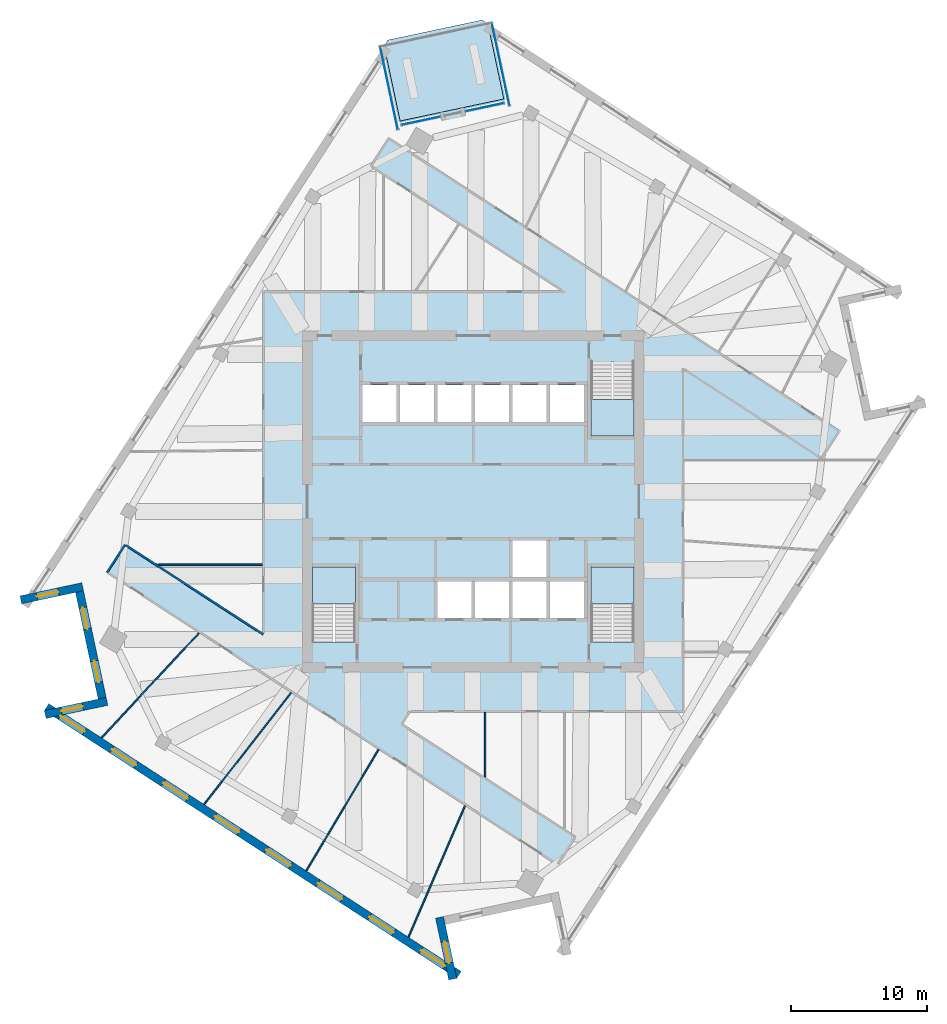
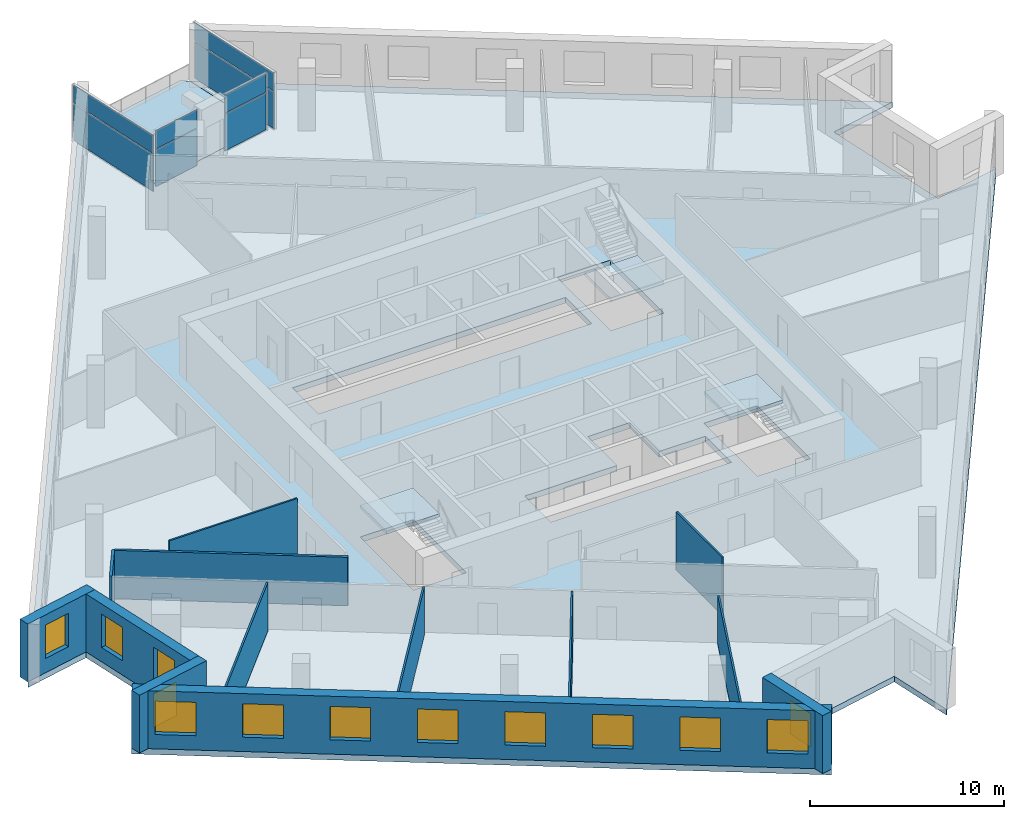
# One storey, part 5 of 12: 13 walls, 13 windows, 8 plates, 5 slabs, 13 openings, 7 elements without a shape of their own.
"""IFC4 building model written with IfcOpenShell, lengths in metres."""

from ifc_helpers import new_model, si_unit, direction, frame, frame_2d, origin, origin_2d, place, context, subcontext, project, spatial, polyline, rectangle, outline, extrude, material, layer, layer_set, type_object, element, fill, aggregate, save


model = new_model("IFC4")

# Units and contexts
model_context = context("Model", 3, precision=1e-05, world=origin(), true_north=direction((0.0, 1.0)))
body_context = subcontext(model_context, "Body", "Model", "MODEL_VIEW")
ifc_project = project(units=[si_unit("LENGTHUNIT", "METRE"), si_unit("AREAUNIT", "SQUARE_METRE"), si_unit("VOLUMEUNIT", "CUBIC_METRE"), si_unit("PLANEANGLEUNIT", "RADIAN"), si_unit("MASSUNIT", "GRAM", prefix="KILO")], contexts=[model_context])

# Site, building, storey
site_placement = place(None, origin())
site = spatial("IfcSite", under=ifc_project, at=site_placement, CompositionType="ELEMENT")
building_placement = place(site_placement, origin())
building = spatial("IfcBuilding", under=site, at=building_placement, Name="Dilmun Exchange Tower", CompositionType="ELEMENT")
storey_placement = place(building_placement, frame((0.0, 0.0, 254.89990234375)))
storey = spatial("IfcBuildingStorey", under=building, at=storey_placement, Name="L60", CompositionType="ELEMENT", Elevation=254.89990234375)

# Stair, slab
ifc_material_1 = material(Name="Concrete C40/50", Category="concrete")
stair_type = type_object("IfcStairType", Name="Exit stair 1500 half-turn", PredefinedType="HALF_TURN_STAIR", material=ifc_material_1)
stair_1_placement = place(storey_placement, origin())
stair_1 = element("IfcStair", 1, at=stair_1_placement, inside=storey, type_object=stair_type, Name="L60 Protected exit stair ST1", PredefinedType="HALF_TURN_STAIR")
ifc_layer_1 = layer(ifc_material_1, 0.199951171875)
ifc_layer_set_1 = layer_set([ifc_layer_1], Name="Concrete C40/50")
slab_type_1 = type_object("IfcSlabType", Name="Exit stair landing 200", PredefinedType="LANDING", material=ifc_layer_set_1)
slab_1_placement = place(storey_placement, frame((0.0, 0.0, 1.800048828125)))
slab_1 = element("IfcSlab", 2, at=slab_1_placement, type_object=slab_type_1, Name="ST1 landing 1", PredefinedType="LANDING", context=body_context, shape_type="SweptSolid", body=[
    extrude(outline(polyline([(8.64990234375, 7.5), (8.64990234375, 4.800048828125), (11.800048828125, 4.800048828125), (11.800048828125, 7.5), (8.64990234375, 7.5)])), origin(), (0.0, 0.0, 1.0), 0.199951171875),
])
aggregate(stair_1, [slab_1])

stair_2_placement = place(storey_placement, origin())
stair_2 = element("IfcStair", 3, at=stair_2_placement, inside=storey, type_object=stair_type, Name="L60 Protected exit stair ST2", PredefinedType="HALF_TURN_STAIR")
slab_2_placement = place(storey_placement, frame((0.0, 0.0, 1.800048828125)))
slab_2 = element("IfcSlab", 4, at=slab_2_placement, type_object=slab_type_1, Name="ST2 landing 1", PredefinedType="LANDING", context=body_context, shape_type="SweptSolid", body=[
    extrude(outline(polyline([(-8.64990234375, -7.5), (-8.64990234375, -4.800048828125), (-11.800048828125, -4.800048828125), (-11.800048828125, -7.5), (-8.64990234375, -7.5)])), origin(), (0.0, 0.0, 1.0), 0.199951171875),
])
aggregate(stair_2, [slab_2])

stair_3_placement = place(storey_placement, origin())
stair_3 = element("IfcStair", 5, at=stair_3_placement, inside=storey, type_object=stair_type, Name="L60 Protected exit stair ST3", PredefinedType="HALF_TURN_STAIR")
slab_3_placement = place(storey_placement, frame((0.0, 0.0, 1.800048828125)))
slab_3 = element("IfcSlab", 6, at=slab_3_placement, type_object=slab_type_1, Name="ST3 landing 1", PredefinedType="LANDING", context=body_context, shape_type="SweptSolid", body=[
    extrude(outline(polyline([(11.800048828125, -7.5), (11.800048828125, -4.800048828125), (8.64990234375, -4.800048828125), (8.64990234375, -7.5), (11.800048828125, -7.5)])), origin(), (0.0, 0.0, 1.0), 0.199951171875),
])
aggregate(stair_3, [slab_3])

# Curtain wall, plates
ifc_material_2 = material(Name="Anodised aluminium and clear glass", Category="aluminium")
curtain_wall_type = type_object("IfcCurtainWallType", Name="Garden corner glazing", PredefinedType="NOTDEFINED", material=ifc_material_2)
curtain_wall_1_placement = place(storey_placement, origin())
curtain_wall_1 = element("IfcCurtainWall", 7, at=curtain_wall_1_placement, inside=storey, type_object=curtain_wall_type, Name="Garden corner glazing run GC1.1", PredefinedType="NOTDEFINED")
ifc_material_3 = material(Name="Clear glass", Category="glass")
ifc_layer_2 = layer(ifc_material_3, 0.028076171875)
ifc_layer_set_2 = layer_set([ifc_layer_2], Name="Clear glass")
plate_type = type_object("IfcPlateType", Name="Garden corner glazing glass panel 28", PredefinedType="CURTAIN_PANEL", material=ifc_layer_set_2)
plate_1_placement = place(storey_placement, frame((2.01806640625, 32.079833984375, 0.06005859375), z_axis=(0.0, 0.0, 1.0), x_axis=(0.207911792498, -0.978147579121, 0.0)))
plate_1 = element("IfcPlate", 8, at=plate_1_placement, type_object=plate_type, Name="GC1.1 panel 1.1", PredefinedType="CURTAIN_PANEL", context=body_context, shape_type="SweptSolid", body=[
    extrude(rectangle(XDim=6.12646484375, YDim=0.028076171875, at=origin_2d()), origin(), (0.0, 0.0, 1.0), 2.31005859375),
])
plate_2_placement = place(storey_placement, frame((2.01806640625, 32.079833984375, 2.43017578125), z_axis=(0.0, 0.0, 1.0), x_axis=(0.207911792498, -0.978147579121, 0.0)))
plate_2 = element("IfcPlate", 9, at=plate_2_placement, type_object=plate_type, Name="GC1.1 panel 1.2", PredefinedType="CURTAIN_PANEL", context=body_context, shape_type="SweptSolid", body=[
    extrude(rectangle(XDim=6.12646484375, YDim=0.028076171875, at=origin_2d()), origin(), (0.0, 0.0, 1.0), 1.14990234375),
])
aggregate(curtain_wall_1, [plate_1, plate_2])

curtain_wall_2_placement = place(storey_placement, origin())
curtain_wall_2 = element("IfcCurtainWall", 10, at=curtain_wall_2_placement, inside=storey, type_object=curtain_wall_type, Name="Garden corner glazing run GC2.1", PredefinedType="NOTDEFINED")
plate_3_placement = place(storey_placement, frame((0.849853515625, 28.9453125, 0.06005859375), z_axis=(0.0, 0.0, 1.0), x_axis=(-0.978152558618, -0.207888364437, 0.0)))
plate_3 = element("IfcPlate", 11, at=plate_3_placement, type_object=plate_type, Name="GC2.1 panel 1.1", PredefinedType="CURTAIN_PANEL", context=body_context, shape_type="SweptSolid", body=[
    extrude(rectangle(XDim=2.869140625, YDim=0.028076171875, at=origin_2d()), origin(), (0.0, 0.0, 1.0), 2.31005859375),
])
plate_4_placement = place(storey_placement, frame((0.849853515625, 28.9453125, 2.43017578125), z_axis=(0.0, 0.0, 1.0), x_axis=(-0.978152558618, -0.207888364437, 0.0)))
plate_4 = element("IfcPlate", 12, at=plate_4_placement, type_object=plate_type, Name="GC2.1 panel 1.2", PredefinedType="CURTAIN_PANEL", context=body_context, shape_type="SweptSolid", body=[
    extrude(rectangle(XDim=2.869140625, YDim=0.028076171875, at=origin_2d()), origin(), (0.0, 0.0, 1.0), 1.14990234375),
])
aggregate(curtain_wall_2, [plate_3, plate_4])

curtain_wall_3_placement = place(storey_placement, origin())
curtain_wall_3 = element("IfcCurtainWall", 13, at=curtain_wall_3_placement, inside=storey, type_object=curtain_wall_type, Name="Garden corner glazing run GC2.3", PredefinedType="NOTDEFINED")
plate_5_placement = place(storey_placement, frame((-3.834716796875, 27.94970703125, 0.06005859375), z_axis=(0.0, 0.0, 1.0), x_axis=(-0.978152558618, -0.207888364437, 0.0)))
plate_5 = element("IfcPlate", 14, at=plate_5_placement, type_object=plate_type, Name="GC2.3 panel 1.1", PredefinedType="CURTAIN_PANEL", context=body_context, shape_type="SweptSolid", body=[
    extrude(rectangle(XDim=2.869140625, YDim=0.028076171875, at=origin_2d()), origin(), (0.0, 0.0, 1.0), 2.31005859375),
])
plate_6_placement = place(storey_placement, frame((-3.834716796875, 27.94970703125, 2.43017578125), z_axis=(0.0, 0.0, 1.0), x_axis=(-0.978152558618, -0.207888364437, 0.0)))
plate_6 = element("IfcPlate", 15, at=plate_6_placement, type_object=plate_type, Name="GC2.3 panel 1.2", PredefinedType="CURTAIN_PANEL", context=body_context, shape_type="SweptSolid", body=[
    extrude(rectangle(XDim=2.869140625, YDim=0.028076171875, at=origin_2d()), origin(), (0.0, 0.0, 1.0), 1.14990234375),
])
aggregate(curtain_wall_3, [plate_5, plate_6])

curtain_wall_4_placement = place(storey_placement, origin())
curtain_wall_4 = element("IfcCurtainWall", 16, at=curtain_wall_4_placement, inside=storey, type_object=curtain_wall_type, Name="Garden corner glazing run GC3.1", PredefinedType="NOTDEFINED")
plate_7_placement = place(storey_placement, frame((-6.177001953125, 30.338134765625, 0.06005859375), z_axis=(0.0, 0.0, 1.0), x_axis=(-0.207911792498, 0.978147579121, 0.0)))
plate_7 = element("IfcPlate", 17, at=plate_7_placement, type_object=plate_type, Name="GC3.1 panel 1.1", PredefinedType="CURTAIN_PANEL", context=body_context, shape_type="SweptSolid", body=[
    extrude(rectangle(XDim=6.12646484375, YDim=0.028076171875, at=origin_2d()), origin(), (0.0, 0.0, 1.0), 2.31005859375),
])
plate_8_placement = place(storey_placement, frame((-6.177001953125, 30.338134765625, 2.43017578125), z_axis=(0.0, 0.0, 1.0), x_axis=(-0.207911792498, 0.978147579121, 0.0)))
plate_8 = element("IfcPlate", 18, at=plate_8_placement, type_object=plate_type, Name="GC3.1 panel 1.2", PredefinedType="CURTAIN_PANEL", context=body_context, shape_type="SweptSolid", body=[
    extrude(rectangle(XDim=6.12646484375, YDim=0.028076171875, at=origin_2d()), origin(), (0.0, 0.0, 1.0), 1.14990234375),
])
aggregate(curtain_wall_4, [plate_7, plate_8])

# Slabs
ifc_layer_3 = layer(ifc_material_1, 0.360107421875)
ifc_layer_set_3 = layer_set([ifc_layer_3], Name="Concrete C40/50")
slab_type_2 = type_object("IfcSlabType", Name="RC floor slab 360", PredefinedType="FLOOR", material=ifc_layer_set_3)
slab_4_placement = place(storey_placement, frame((0.0, 0.0, -0.35986328125)))
element("IfcSlab", 19, at=slab_4_placement, inside=storey, type_object=slab_type_2, Name="Floor slab", PredefinedType="FLOOR", context=body_context, shape_type="SweptSolid", body=[
    extrude(outline(polyline([(27.524169921875, 14.494140625), (29.1875, 6.6689453125), (33.134765625, 7.5078125), (6.618408203125, -33.32373046875), (5.779296875, -29.37646484375), (-2.0458984375, -31.039794921875), (-1.206787109375, -34.987060546875), (-31.471435546875, -15.3330078125), (-27.524169921875, -14.494140625), (-29.1875, -6.6689453125), (-33.134765625, -7.5078125), (-6.53271484375, 33.455322265625), (-5.35888671875, 27.932373046875), (2.249267578125, 29.549560546875), (1.075439453125, 35.072509765625), (31.471435546875, 15.3330078125), (27.524169921875, 14.494140625)]), holes=[polyline([(-8.64990234375, -4.800048828125), (-11.800048828125, -4.800048828125), (-11.800048828125, -10.294921875), (-8.64990234375, -10.294921875), (-8.64990234375, -4.800048828125)]), polyline([(11.800048828125, -4.800048828125), (8.64990234375, -4.800048828125), (8.64990234375, -10.294921875), (11.800048828125, -10.294921875), (11.800048828125, -4.800048828125)]), polyline([(2.875, -5.85009765625), (-2.625, -5.85009765625), (-2.625, -8.550048828125), (8.125, -8.550048828125), (8.125, -5.85009765625), (5.375, -5.85009765625), (5.375, -2.85009765625), (2.875, -2.85009765625), (2.875, -5.85009765625)]), polyline([(8.125, 5.85009765625), (8.125, 8.550048828125), (-8.125, 8.550048828125), (-8.125, 5.85009765625), (8.125, 5.85009765625)]), polyline([(8.64990234375, 10.294921875), (8.64990234375, 4.800048828125), (11.800048828125, 4.800048828125), (11.800048828125, 10.294921875), (8.64990234375, 10.294921875)])]), origin(), (0.0, 0.0, 1.0), 0.35986328125),
])
ifc_layer_4 = layer(ifc_material_1, 0.300048828125)
ifc_layer_set_4 = layer_set([ifc_layer_4], Name="Concrete C40/50")
slab_type_3 = type_object("IfcSlabType", Name="RC garden terrace slab 300", PredefinedType="FLOOR", material=ifc_layer_set_4)
slab_5_placement = place(storey_placement, frame((0.0, 0.0, -0.2998046875)))
element("IfcSlab", 20, at=slab_5_placement, inside=storey, type_object=slab_type_3, Name="Garden terrace slab", PredefinedType="FLOOR", context=body_context, shape_type="SweptSolid", body=[
    extrude(outline(polyline([(-5.35888671875, 27.932373046875), (-6.53271484375, 33.455322265625), (-6.260498046875, 33.874755859375), (0.656005859375, 35.344970703125), (1.075439453125, 35.072509765625), (2.249267578125, 29.549560546875), (-5.35888671875, 27.932373046875)])), origin(), (0.0, 0.0, 1.0), 0.2998046875),
])

# Walls
ifc_material_4 = material(Name="Corridor wall 150")
ifc_layer_5 = layer(ifc_material_4, 0.14990234375)
ifc_layer_set_5 = layer_set([ifc_layer_5], Name="Corridor wall 150")
wall_type_1 = type_object("IfcWallType", Name="Corridor wall 150", PredefinedType="PARTITIONING", material=ifc_layer_set_5)
wall_1_placement = place(storey_placement, frame((-26.85400390625, -5.179931640625, 0.0), z_axis=(0.0, 0.0, 1.0), x_axis=(0.544727214821, 0.838613296719, 0.0)))
element("IfcWall", 21, at=wall_1_placement, inside=storey, type_object=wall_type_1, Name="Corridor wall", PredefinedType="PARTITIONING", context=body_context, shape_type="SweptSolid", body=[
    extrude(rectangle(XDim=2.399169921875, YDim=0.14990234375, at=frame_2d((1.19970703125, 0.0))), origin(), (0.0, 0.0, 1.0), 3.0400390625),
])
wall_2_placement = place(storey_placement, frame((-25.484130859375, -3.208984375, 0.0), z_axis=(0.0, 0.0, 1.0), x_axis=(0.838696356723, -0.544599321721, 0.0)))
element("IfcWall", 22, at=wall_2_placement, inside=storey, type_object=wall_type_1, Name="Corridor wall", PredefinedType="PARTITIONING", context=body_context, shape_type="SweptSolid", body=[
    extrude(rectangle(XDim=12.023681640625, YDim=0.14990234375, at=frame_2d((6.01171875, 0.0))), origin(), (0.0, 0.0, 1.0), 3.0400390625),
])
ifc_material_5 = material(Name="Partition 100")
ifc_layer_6 = layer(ifc_material_5, 0.10009765625)
ifc_layer_set_6 = layer_set([ifc_layer_6], Name="Partition 100")
wall_type_2 = type_object("IfcWallType", Name="Partition 100", PredefinedType="PARTITIONING", material=ifc_layer_set_6)
wall_3_placement = place(storey_placement, frame((-27.27392578125, -17.341064453125, 0.0), z_axis=(0.0, 0.0, 1.0), x_axis=(0.680597347882, 0.732657662252, 0.0)))
element("IfcWall", 23, at=wall_3_placement, inside=storey, type_object=wall_type_2, Name="Partition", PredefinedType="PARTITIONING", context=body_context, shape_type="SweptSolid", body=[
    extrude(rectangle(XDim=10.5, YDim=0.10009765625, at=frame_2d((5.25, 0.0))), origin(), (0.0, 0.0, 1.0), 3.0400390625),
])
wall_4_placement = place(storey_placement, frame((-23.0693359375, -4.636962890625, 0.0), z_axis=(0.0, 0.0, 1.0), x_axis=(1.0, 0.0, 0.0)))
element("IfcWall", 24, at=wall_4_placement, inside=storey, type_object=wall_type_2, Name="Partition", PredefinedType="PARTITIONING", context=body_context, shape_type="SweptSolid", body=[
    extrude(rectangle(XDim=7.59423828125, YDim=0.10009765625, at=frame_2d((3.797119140625, 0.0))), origin(), (0.0, 0.0, 1.0), 3.64013671875),
])
wall_5_placement = place(storey_placement, frame((-19.751220703125, -22.226318359375, 0.0), z_axis=(0.0, 0.0, 1.0), x_axis=(0.615010755177, 0.788518719509, 0.0)))
element("IfcWall", 25, at=wall_5_placement, inside=storey, type_object=wall_type_2, Name="Partition", PredefinedType="PARTITIONING", context=body_context, shape_type="SweptSolid", body=[
    extrude(rectangle(XDim=10.38720703125, YDim=0.10009765625, at=frame_2d((5.193603515625, 0.0))), origin(), (0.0, 0.0, 1.0), 3.0400390625),
])
wall_6_placement = place(storey_placement, frame((-12.24755859375, -27.099365234375, 0.0), z_axis=(0.0, 0.0, 1.0), x_axis=(0.511779266972, 0.859116978005, 0.0)))
element("IfcWall", 26, at=wall_6_placement, inside=storey, type_object=wall_type_2, Name="Partition", PredefinedType="PARTITIONING", context=body_context, shape_type="SweptSolid", body=[
    extrude(rectangle(XDim=10.3583984375, YDim=0.10009765625, at=frame_2d((5.17919921875, 0.0))), origin(), (0.0, 0.0, 1.0), 3.0400390625),
])
wall_7_placement = place(storey_placement, frame((-4.74755859375, -31.969970703125, 0.0), z_axis=(0.0, 0.0, 1.0), x_axis=(0.395131798832, 0.918624439884, 0.0)))
element("IfcWall", 27, at=wall_7_placement, inside=storey, type_object=wall_type_2, Name="Partition", PredefinedType="PARTITIONING", context=body_context, shape_type="SweptSolid", body=[
    extrude(rectangle(XDim=10.4951171875, YDim=0.10009765625, at=frame_2d((5.24755859375, 0.0))), origin(), (0.0, 0.0, 1.0), 3.0400390625),
])
wall_8_placement = place(storey_placement, frame((0.876953125, -20.205078125, 0.0), z_axis=(0.0, 0.0, 1.0), x_axis=(0.0, 1.0, 0.0)))
element("IfcWall", 28, at=wall_8_placement, inside=storey, type_object=wall_type_2, Name="Partition", PredefinedType="PARTITIONING", context=body_context, shape_type="SweptSolid", body=[
    extrude(rectangle(XDim=4.72998046875, YDim=0.10009765625, at=frame_2d((2.364990234375, 0.0))), origin(), (0.0, 0.0, 1.0), 3.64013671875),
])

# Wall, opening, window
ifc_material_6 = material(Name="Precast concrete C50/60", Category="concrete")
ifc_layer_7 = layer(ifc_material_6, 0.60009765625)
ifc_layer_set_7 = layer_set([ifc_layer_7], Name="Precast concrete C50/60")
wall_type_3 = type_object("IfcWallType", Name="Precast stone-clad wall 600", PredefinedType="STANDARD", material=ifc_layer_set_7)
wall_9_placement = place(storey_placement, frame((-33.197021484375, -7.214599609375, 0.0), z_axis=(0.0, 0.0, 1.0), x_axis=(0.978143321118, 0.207931823809, 0.0)))
wall_9 = element("IfcWall", 29, at=wall_9_placement, inside=storey, type_object=wall_type_3, Name="Facade wall L60-04", PredefinedType="STANDARD", context=body_context, shape_type="SweptSolid", body=[
    extrude(rectangle(XDim=4.635498046875, YDim=0.60009765625, at=frame_2d((2.31787109375, 0.0))), origin(), (0.0, 0.0, 1.0), 3.64013671875),
])
opening_1_placement = place(wall_9_placement, frame((1.2177734375, 0.0, 0.89990234375)))
opening_1 = element("IfcOpeningElement", 30, at=opening_1_placement, cuts=wall_9, Name="Opening W160-210", PredefinedType="OPENING", context=body_context, shape_type="SweptSolid", body=[
    extrude(rectangle(XDim=1.60009765625, YDim=2.10009765625, at=frame_2d((0.800048828125, 1.050048828125))), frame((0.0, 0.31005859375, 0.0), z_axis=(0.0, -1.0, 0.0), x_axis=(1.0, 0.0, 0.0)), (0.0, 0.0, 1.0), 0.6201171875),
])
ifc_material_7 = material(Name="Clear low-emissivity glass in aluminium frame", Category="aluminium")
window_type_1 = type_object("IfcWindowType", Name="Punched window 1600 x 2100", PartitioningType="DOUBLE_PANEL_VERTICAL", PredefinedType="WINDOW", material=ifc_material_7)
window_1_placement = place(opening_1_placement, origin())
window_1 = element("IfcWindow", 31, at=window_1_placement, inside=storey, type_object=window_type_1, Name="Window 5.1", OverallHeight=2.10009765625, OverallWidth=1.60009765625, PartitioningType="SINGLE_PANEL", PredefinedType="WINDOW", context=body_context, shape_type="SweptSolid", body=[
    extrude(rectangle(XDim=1.60009765625, YDim=2.10009765625, at=frame_2d((0.800048828125, 1.050048828125))), frame((0.0, 0.030029296875, 0.0), z_axis=(0.0, -1.0, 0.0), x_axis=(1.0, 0.0, 0.0)), (0.0, 0.0, 1.0), 0.06005859375),
])
fill(opening_1, window_1)

# Wall, openings, windows
wall_10_placement = place(storey_placement, frame((-28.893798828125, -6.6064453125, 0.0), z_axis=(0.0, 0.0, 1.0), x_axis=(0.207886494942, -0.978152955943, 0.0)))
wall_10 = element("IfcWall", 32, at=wall_10_placement, inside=storey, type_object=wall_type_3, Name="Facade wall L60-05", PredefinedType="STANDARD", context=body_context, shape_type="SweptSolid", body=[
    extrude(rectangle(XDim=8.0, YDim=0.60009765625, at=frame_2d((4.0, 0.0))), origin(), (0.0, 0.0, 1.0), 3.64013671875),
])
opening_2_placement = place(wall_10_placement, frame((1.199951171875, 0.0, 0.89990234375)))
opening_2 = element("IfcOpeningElement", 33, at=opening_2_placement, cuts=wall_10, Name="Opening W160-210", PredefinedType="OPENING", context=body_context, shape_type="SweptSolid", body=[
    extrude(rectangle(XDim=1.60009765625, YDim=2.10009765625, at=frame_2d((0.800048828125, 1.050048828125))), frame((0.0, 0.31005859375, 0.0), z_axis=(0.0, -1.0, 0.0), x_axis=(1.0, 0.0, 0.0)), (0.0, 0.0, 1.0), 0.6201171875),
])
opening_3_placement = place(wall_10_placement, frame((5.199951171875, 0.0, 0.89990234375)))
opening_3 = element("IfcOpeningElement", 34, at=opening_3_placement, cuts=wall_10, Name="Opening W160-210", PredefinedType="OPENING", context=body_context, shape_type="SweptSolid", body=[
    extrude(rectangle(XDim=1.60009765625, YDim=2.10009765625, at=frame_2d((0.800048828125, 1.050048828125))), frame((0.0, 0.31005859375, 0.0), z_axis=(0.0, -1.0, 0.0), x_axis=(1.0, 0.0, 0.0)), (0.0, 0.0, 1.0), 0.6201171875),
])
window_2_placement = place(opening_2_placement, origin())
window_2 = element("IfcWindow", 35, at=window_2_placement, inside=storey, type_object=window_type_1, Name="Window 6.1", OverallHeight=2.10009765625, OverallWidth=1.60009765625, PartitioningType="SINGLE_PANEL", PredefinedType="WINDOW", context=body_context, shape_type="SweptSolid", body=[
    extrude(rectangle(XDim=1.60009765625, YDim=2.10009765625, at=frame_2d((0.800048828125, 1.050048828125))), frame((0.0, 0.030029296875, 0.0), z_axis=(0.0, -1.0, 0.0), x_axis=(1.0, 0.0, 0.0)), (0.0, 0.0, 1.0), 0.06005859375),
])
fill(opening_2, window_2)
window_3_placement = place(opening_3_placement, origin())
window_3 = element("IfcWindow", 36, at=window_3_placement, inside=storey, type_object=window_type_1, Name="Window 6.2", OverallHeight=2.10009765625, OverallWidth=1.60009765625, PartitioningType="SINGLE_PANEL", PredefinedType="WINDOW", context=body_context, shape_type="SweptSolid", body=[
    extrude(rectangle(XDim=1.60009765625, YDim=2.10009765625, at=frame_2d((0.800048828125, 1.050048828125))), frame((0.0, 0.030029296875, 0.0), z_axis=(0.0, -1.0, 0.0), x_axis=(1.0, 0.0, 0.0)), (0.0, 0.0, 1.0), 0.06005859375),
])
fill(opening_3, window_3)

# Wall, opening, window
wall_11_placement = place(storey_placement, frame((-26.874755859375, -14.662841796875, 0.0), z_axis=(0.0, 0.0, 1.0), x_axis=(-0.978145598061, -0.207921112429, 0.0)))
wall_11 = element("IfcWall", 37, at=wall_11_placement, inside=storey, type_object=wall_type_3, Name="Facade wall L60-06", PredefinedType="STANDARD", context=body_context, shape_type="SweptSolid", body=[
    extrude(rectangle(XDim=4.6357421875, YDim=0.60009765625, at=frame_2d((2.31787109375, 0.0))), origin(), (0.0, 0.0, 1.0), 3.64013671875),
])
opening_4_placement = place(wall_11_placement, frame((1.81787109375, 0.0, 0.89990234375)))
opening_4 = element("IfcOpeningElement", 38, at=opening_4_placement, cuts=wall_11, Name="Opening W160-210", PredefinedType="OPENING", context=body_context, shape_type="SweptSolid", body=[
    extrude(rectangle(XDim=1.60009765625, YDim=2.10009765625, at=frame_2d((0.800048828125, 1.050048828125))), frame((0.0, 0.31005859375, 0.0), z_axis=(0.0, -1.0, 0.0), x_axis=(1.0, 0.0, 0.0)), (0.0, 0.0, 1.0), 0.6201171875),
])
window_4_placement = place(opening_4_placement, origin())
window_4 = element("IfcWindow", 39, at=window_4_placement, inside=storey, type_object=window_type_1, Name="Window 7.1", OverallHeight=2.10009765625, OverallWidth=1.60009765625, PartitioningType="SINGLE_PANEL", PredefinedType="WINDOW", context=body_context, shape_type="SweptSolid", body=[
    extrude(rectangle(XDim=1.60009765625, YDim=2.10009765625, at=frame_2d((0.800048828125, 1.050048828125))), frame((0.0, 0.030029296875, 0.0), z_axis=(0.0, -1.0, 0.0), x_axis=(1.0, 0.0, 0.0)), (0.0, 0.0, 1.0), 0.06005859375),
])
fill(opening_4, window_4)

# Wall, openings, windows
wall_12_placement = place(storey_placement, frame((-31.30810546875, -15.08154296875, 0.0), z_axis=(0.0, 0.0, 1.0), x_axis=(0.838671071298, -0.54463825992, 0.0)))
wall_12 = element("IfcWall", 40, at=wall_12_placement, inside=storey, type_object=wall_type_3, Name="Facade wall L60-07", PredefinedType="STANDARD", context=body_context, shape_type="SweptSolid", body=[
    extrude(rectangle(XDim=36.08642578125, YDim=0.60009765625, at=frame_2d((18.043212890625, 0.0))), origin(), (0.0, 0.0, 1.0), 3.64013671875),
])
opening_5_placement = place(wall_12_placement, frame((1.205322265625, 0.0, 0.89990234375)))
opening_5 = element("IfcOpeningElement", 41, at=opening_5_placement, cuts=wall_12, Name="Opening W210-210", PredefinedType="OPENING", context=body_context, shape_type="SweptSolid", body=[
    extrude(rectangle(XDim=2.10009765625, YDim=2.10009765625, at=frame_2d((1.050048828125, 1.050048828125))), frame((0.0, 0.31005859375, 0.0), z_axis=(0.0, -1.0, 0.0), x_axis=(1.0, 0.0, 0.0)), (0.0, 0.0, 1.0), 0.6201171875),
])
opening_6_placement = place(wall_12_placement, frame((5.71630859375, 0.0, 0.89990234375)))
opening_6 = element("IfcOpeningElement", 42, at=opening_6_placement, cuts=wall_12, Name="Opening W210-210", PredefinedType="OPENING", context=body_context, shape_type="SweptSolid", body=[
    extrude(rectangle(XDim=2.10009765625, YDim=2.10009765625, at=frame_2d((1.050048828125, 1.050048828125))), frame((0.0, 0.31005859375, 0.0), z_axis=(0.0, -1.0, 0.0), x_axis=(1.0, 0.0, 0.0)), (0.0, 0.0, 1.0), 0.6201171875),
])
opening_7_placement = place(wall_12_placement, frame((10.22705078125, 0.0, 0.89990234375)))
opening_7 = element("IfcOpeningElement", 43, at=opening_7_placement, cuts=wall_12, Name="Opening W210-210", PredefinedType="OPENING", context=body_context, shape_type="SweptSolid", body=[
    extrude(rectangle(XDim=2.10009765625, YDim=2.10009765625, at=frame_2d((1.050048828125, 1.050048828125))), frame((0.0, 0.31005859375, 0.0), z_axis=(0.0, -1.0, 0.0), x_axis=(1.0, 0.0, 0.0)), (0.0, 0.0, 1.0), 0.6201171875),
])
opening_8_placement = place(wall_12_placement, frame((14.73779296875, 0.0, 0.89990234375)))
opening_8 = element("IfcOpeningElement", 44, at=opening_8_placement, cuts=wall_12, Name="Opening W210-210", PredefinedType="OPENING", context=body_context, shape_type="SweptSolid", body=[
    extrude(rectangle(XDim=2.10009765625, YDim=2.10009765625, at=frame_2d((1.050048828125, 1.050048828125))), frame((0.0, 0.31005859375, 0.0), z_axis=(0.0, -1.0, 0.0), x_axis=(1.0, 0.0, 0.0)), (0.0, 0.0, 1.0), 0.6201171875),
])
opening_9_placement = place(wall_12_placement, frame((19.24853515625, 0.0, 0.89990234375)))
opening_9 = element("IfcOpeningElement", 45, at=opening_9_placement, cuts=wall_12, Name="Opening W210-210", PredefinedType="OPENING", context=body_context, shape_type="SweptSolid", body=[
    extrude(rectangle(XDim=2.10009765625, YDim=2.10009765625, at=frame_2d((1.050048828125, 1.050048828125))), frame((0.0, 0.31005859375, 0.0), z_axis=(0.0, -1.0, 0.0), x_axis=(1.0, 0.0, 0.0)), (0.0, 0.0, 1.0), 0.6201171875),
])
opening_10_placement = place(wall_12_placement, frame((23.75927734375, 0.0, 0.89990234375)))
opening_10 = element("IfcOpeningElement", 46, at=opening_10_placement, cuts=wall_12, Name="Opening W210-210", PredefinedType="OPENING", context=body_context, shape_type="SweptSolid", body=[
    extrude(rectangle(XDim=2.10009765625, YDim=2.10009765625, at=frame_2d((1.050048828125, 1.050048828125))), frame((0.0, 0.31005859375, 0.0), z_axis=(0.0, -1.0, 0.0), x_axis=(1.0, 0.0, 0.0)), (0.0, 0.0, 1.0), 0.6201171875),
])
opening_11_placement = place(wall_12_placement, frame((28.27001953125, 0.0, 0.89990234375)))
opening_11 = element("IfcOpeningElement", 47, at=opening_11_placement, cuts=wall_12, Name="Opening W210-210", PredefinedType="OPENING", context=body_context, shape_type="SweptSolid", body=[
    extrude(rectangle(XDim=2.10009765625, YDim=2.10009765625, at=frame_2d((1.050048828125, 1.050048828125))), frame((0.0, 0.31005859375, 0.0), z_axis=(0.0, -1.0, 0.0), x_axis=(1.0, 0.0, 0.0)), (0.0, 0.0, 1.0), 0.6201171875),
])
opening_12_placement = place(wall_12_placement, frame((32.781005859375, 0.0, 0.89990234375)))
opening_12 = element("IfcOpeningElement", 48, at=opening_12_placement, cuts=wall_12, Name="Opening W210-210", PredefinedType="OPENING", context=body_context, shape_type="SweptSolid", body=[
    extrude(rectangle(XDim=2.10009765625, YDim=2.10009765625, at=frame_2d((1.050048828125, 1.050048828125))), frame((0.0, 0.31005859375, 0.0), z_axis=(0.0, -1.0, 0.0), x_axis=(1.0, 0.0, 0.0)), (0.0, 0.0, 1.0), 0.6201171875),
])
window_type_2 = type_object("IfcWindowType", Name="Punched window 2100 x 2100", PartitioningType="DOUBLE_PANEL_VERTICAL", PredefinedType="WINDOW", material=ifc_material_7)
window_5_placement = place(opening_5_placement, origin())
window_5 = element("IfcWindow", 49, at=window_5_placement, inside=storey, type_object=window_type_2, Name="Window 8.1", OverallHeight=2.10009765625, OverallWidth=2.10009765625, PartitioningType="SINGLE_PANEL", PredefinedType="WINDOW", context=body_context, shape_type="SweptSolid", body=[
    extrude(rectangle(XDim=2.10009765625, YDim=2.10009765625, at=frame_2d((1.050048828125, 1.050048828125))), frame((0.0, 0.030029296875, 0.0), z_axis=(0.0, -1.0, 0.0), x_axis=(1.0, 0.0, 0.0)), (0.0, 0.0, 1.0), 0.06005859375),
])
fill(opening_5, window_5)
window_6_placement = place(opening_6_placement, origin())
window_6 = element("IfcWindow", 50, at=window_6_placement, inside=storey, type_object=window_type_2, Name="Window 8.2", OverallHeight=2.10009765625, OverallWidth=2.10009765625, PartitioningType="SINGLE_PANEL", PredefinedType="WINDOW", context=body_context, shape_type="SweptSolid", body=[
    extrude(rectangle(XDim=2.10009765625, YDim=2.10009765625, at=frame_2d((1.050048828125, 1.050048828125))), frame((0.0, 0.030029296875, 0.0), z_axis=(0.0, -1.0, 0.0), x_axis=(1.0, 0.0, 0.0)), (0.0, 0.0, 1.0), 0.06005859375),
])
fill(opening_6, window_6)
window_7_placement = place(opening_7_placement, origin())
window_7 = element("IfcWindow", 51, at=window_7_placement, inside=storey, type_object=window_type_2, Name="Window 8.3", OverallHeight=2.10009765625, OverallWidth=2.10009765625, PartitioningType="SINGLE_PANEL", PredefinedType="WINDOW", context=body_context, shape_type="SweptSolid", body=[
    extrude(rectangle(XDim=2.10009765625, YDim=2.10009765625, at=frame_2d((1.050048828125, 1.050048828125))), frame((0.0, 0.030029296875, 0.0), z_axis=(0.0, -1.0, 0.0), x_axis=(1.0, 0.0, 0.0)), (0.0, 0.0, 1.0), 0.06005859375),
])
fill(opening_7, window_7)
window_8_placement = place(opening_8_placement, origin())
window_8 = element("IfcWindow", 52, at=window_8_placement, inside=storey, type_object=window_type_2, Name="Window 8.4", OverallHeight=2.10009765625, OverallWidth=2.10009765625, PartitioningType="SINGLE_PANEL", PredefinedType="WINDOW", context=body_context, shape_type="SweptSolid", body=[
    extrude(rectangle(XDim=2.10009765625, YDim=2.10009765625, at=frame_2d((1.050048828125, 1.050048828125))), frame((0.0, 0.030029296875, 0.0), z_axis=(0.0, -1.0, 0.0), x_axis=(1.0, 0.0, 0.0)), (0.0, 0.0, 1.0), 0.06005859375),
])
fill(opening_8, window_8)
window_9_placement = place(opening_9_placement, origin())
window_9 = element("IfcWindow", 53, at=window_9_placement, inside=storey, type_object=window_type_2, Name="Window 8.5", OverallHeight=2.10009765625, OverallWidth=2.10009765625, PartitioningType="SINGLE_PANEL", PredefinedType="WINDOW", context=body_context, shape_type="SweptSolid", body=[
    extrude(rectangle(XDim=2.10009765625, YDim=2.10009765625, at=frame_2d((1.050048828125, 1.050048828125))), frame((0.0, 0.030029296875, 0.0), z_axis=(0.0, -1.0, 0.0), x_axis=(1.0, 0.0, 0.0)), (0.0, 0.0, 1.0), 0.06005859375),
])
fill(opening_9, window_9)
window_10_placement = place(opening_10_placement, origin())
window_10 = element("IfcWindow", 54, at=window_10_placement, inside=storey, type_object=window_type_2, Name="Window 8.6", OverallHeight=2.10009765625, OverallWidth=2.10009765625, PartitioningType="SINGLE_PANEL", PredefinedType="WINDOW", context=body_context, shape_type="SweptSolid", body=[
    extrude(rectangle(XDim=2.10009765625, YDim=2.10009765625, at=frame_2d((1.050048828125, 1.050048828125))), frame((0.0, 0.030029296875, 0.0), z_axis=(0.0, -1.0, 0.0), x_axis=(1.0, 0.0, 0.0)), (0.0, 0.0, 1.0), 0.06005859375),
])
fill(opening_10, window_10)
window_11_placement = place(opening_11_placement, origin())
window_11 = element("IfcWindow", 55, at=window_11_placement, inside=storey, type_object=window_type_2, Name="Window 8.7", OverallHeight=2.10009765625, OverallWidth=2.10009765625, PartitioningType="SINGLE_PANEL", PredefinedType="WINDOW", context=body_context, shape_type="SweptSolid", body=[
    extrude(rectangle(XDim=2.10009765625, YDim=2.10009765625, at=frame_2d((1.050048828125, 1.050048828125))), frame((0.0, 0.030029296875, 0.0), z_axis=(0.0, -1.0, 0.0), x_axis=(1.0, 0.0, 0.0)), (0.0, 0.0, 1.0), 0.06005859375),
])
fill(opening_11, window_11)
window_12_placement = place(opening_12_placement, origin())
window_12 = element("IfcWindow", 56, at=window_12_placement, inside=storey, type_object=window_type_2, Name="Window 8.8", OverallHeight=2.10009765625, OverallWidth=2.10009765625, PartitioningType="SINGLE_PANEL", PredefinedType="WINDOW", context=body_context, shape_type="SweptSolid", body=[
    extrude(rectangle(XDim=2.10009765625, YDim=2.10009765625, at=frame_2d((1.050048828125, 1.050048828125))), frame((0.0, 0.030029296875, 0.0), z_axis=(0.0, -1.0, 0.0), x_axis=(1.0, 0.0, 0.0)), (0.0, 0.0, 1.0), 0.06005859375),
])
fill(opening_12, window_12)

# Wall, opening, window
wall_13_placement = place(storey_placement, frame((-1.50048828125, -35.049560546875, 0.0), z_axis=(0.0, 0.0, 1.0), x_axis=(-0.207881432465, 0.978154031856, 0.0)))
wall_13 = element("IfcWall", 57, at=wall_13_placement, inside=storey, type_object=wall_type_3, Name="Facade wall L60-08", PredefinedType="STANDARD", context=body_context, shape_type="SweptSolid", body=[
    extrude(rectangle(XDim=4.635498046875, YDim=0.60009765625, at=frame_2d((2.31787109375, 0.0))), origin(), (0.0, 0.0, 1.0), 3.64013671875),
])
opening_13_placement = place(wall_13_placement, frame((1.2177734375, 0.0, 0.89990234375)))
opening_13 = element("IfcOpeningElement", 58, at=opening_13_placement, cuts=wall_13, Name="Opening W160-210", PredefinedType="OPENING", context=body_context, shape_type="SweptSolid", body=[
    extrude(rectangle(XDim=1.60009765625, YDim=2.10009765625, at=frame_2d((0.800048828125, 1.050048828125))), frame((0.0, 0.31005859375, 0.0), z_axis=(0.0, -1.0, 0.0), x_axis=(1.0, 0.0, 0.0)), (0.0, 0.0, 1.0), 0.6201171875),
])
window_13_placement = place(opening_13_placement, origin())
window_13 = element("IfcWindow", 59, at=window_13_placement, inside=storey, type_object=window_type_1, Name="Window 9.1", OverallHeight=2.10009765625, OverallWidth=1.60009765625, PartitioningType="SINGLE_PANEL", PredefinedType="WINDOW", context=body_context, shape_type="SweptSolid", body=[
    extrude(rectangle(XDim=1.60009765625, YDim=2.10009765625, at=frame_2d((0.800048828125, 1.050048828125))), frame((0.0, 0.030029296875, 0.0), z_axis=(0.0, -1.0, 0.0), x_axis=(1.0, 0.0, 0.0)), (0.0, 0.0, 1.0), 0.06005859375),
])
fill(opening_13, window_13)

save(model, "model.ifc")
